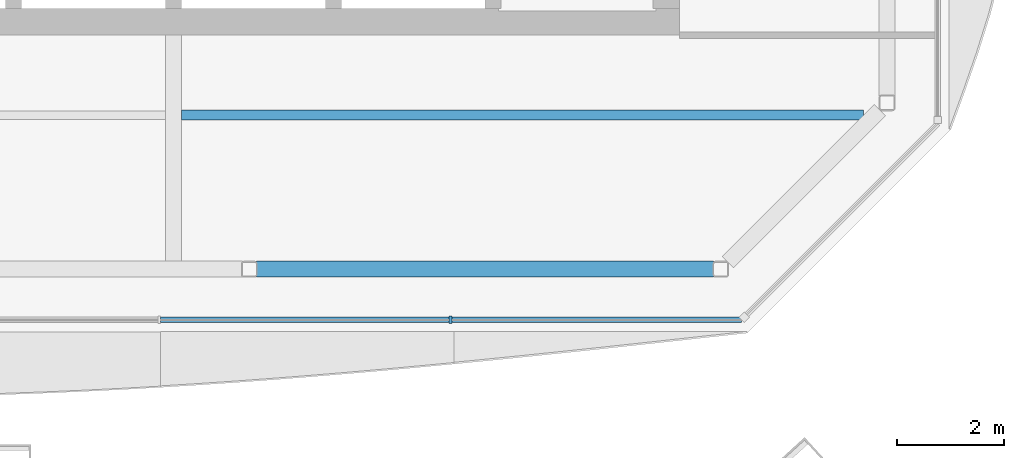
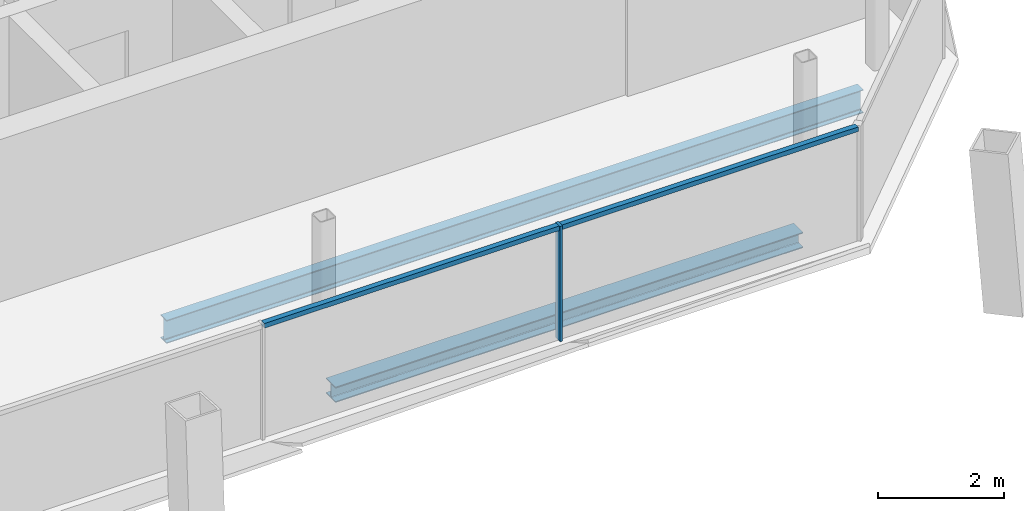
# One storey, part 4 of 16: 3 members, 2 beams, 1 element without a shape of its own.
"""IFC4 building model written with IfcOpenShell, lengths in metres."""

from ifc_helpers import new_model, si_unit, direction, frame, origin, origin_2d, place, context, subcontext, project, spatial, rectangle, i_section, extrude, material, material_profile, profile_set, type_object, element, aggregate, save


model = new_model("IFC4")

# Units and contexts
model_context = context("Model", 3, precision=1e-05, world=origin(), true_north=direction((0.0, 1.0)))
body_context = subcontext(model_context, "Body", "Model", "MODEL_VIEW")
ifc_project = project(units=[si_unit("LENGTHUNIT", "METRE"), si_unit("AREAUNIT", "SQUARE_METRE"), si_unit("VOLUMEUNIT", "CUBIC_METRE"), si_unit("PLANEANGLEUNIT", "RADIAN"), si_unit("MASSUNIT", "GRAM", prefix="KILO")], contexts=[model_context])

# Site, building, storey
site_placement = place(None, origin())
site = spatial("IfcSite", under=ifc_project, at=site_placement, CompositionType="ELEMENT")
building_placement = place(site_placement, origin())
building = spatial("IfcBuilding", under=site, at=building_placement, Name="Tskaro Facet Tower", CompositionType="ELEMENT")
storey_placement = place(building_placement, frame((0.0, 0.0, 251.85009765625)))
storey = spatial("IfcBuildingStorey", under=building, at=storey_placement, Name="L66", CompositionType="ELEMENT", Elevation=251.85009765625)

# Curtain wall, members
ifc_material_1 = material(Name="Bronze anodised aluminium 6063-T6", Category="aluminium")
curtain_wall_type = type_object("IfcCurtainWallType", Name="Bronze residence curtain wall (FW3)", PredefinedType="NOTDEFINED", material=ifc_material_1)
curtain_wall_placement = place(storey_placement, origin())
curtain_wall = element("IfcCurtainWall", 1, at=curtain_wall_placement, inside=storey, type_object=curtain_wall_type, Name="FW3 south facet L66", PredefinedType="NOTDEFINED")
ifc_material_profile_1 = material_profile(ifc_material_1, rectangle(XDim=0.050048828125, YDim=0.139892578125, at=origin_2d()), Name="Mullion 50x140")
ifc_profile_set_1 = profile_set([ifc_material_profile_1], Name="Bronze anodised aluminium 6063-T6")
member_type_1 = type_object("IfcMemberType", Name="FW3 bronze mullion 50x140", PredefinedType="MULLION", material=ifc_profile_set_1)
member_1_placement = place(storey_placement, frame((5.196533203125, -17.341064453125, 0.0), z_axis=(0.0, 0.0, 1.0), x_axis=(1.0, 0.0, 0.0)))
member_1 = element("IfcMember", 2, at=member_1_placement, type_object=member_type_1, Name="FW3 south mullion 4", PredefinedType="MULLION", context=body_context, shape_type="SweptSolid", body=[
    extrude(rectangle(XDim=0.050048828125, YDim=0.139892578125, at=origin_2d()), origin(), (0.0, 0.0, 1.0), 2.239990234375),
])
ifc_material_profile_2 = material_profile(ifc_material_1, rectangle(XDim=0.10009765625, YDim=0.090087890625, at=origin_2d()), Name="Transom 100x90")
ifc_profile_set_2 = profile_set([ifc_material_profile_2], Name="Bronze anodised aluminium 6063-T6")
member_type_2 = type_object("IfcMemberType", Name="FW3 bronze transom 100x90", PredefinedType="USERDEFINED", material=ifc_profile_set_2)
member_2_placement = place(storey_placement, frame((-0.242919921875, -17.341064453125, 2.19482421875), z_axis=(1.0, 0.0, 0.0), x_axis=(0.0, 1.0, 0.0)))
member_2 = element("IfcMember", 3, at=member_2_placement, type_object=member_type_2, Name="FW3 south transom 4.1", ObjectType="TRANSOM", PredefinedType="USERDEFINED", context=body_context, shape_type="SweptSolid", body=[
    extrude(rectangle(XDim=0.10009765625, YDim=0.090087890625, at=origin_2d()), origin(), (0.0, 0.0, 1.0), 5.41455078125),
])
member_3_placement = place(storey_placement, frame((5.2216796875, -17.341064453125, 2.19482421875), z_axis=(1.0, 0.0, 0.0), x_axis=(0.0, 1.0, 0.0)))
member_3 = element("IfcMember", 4, at=member_3_placement, type_object=member_type_2, Name="FW3 south transom 5.1", ObjectType="TRANSOM", PredefinedType="USERDEFINED", context=body_context, shape_type="SweptSolid", body=[
    extrude(rectangle(XDim=0.10009765625, YDim=0.090087890625, at=origin_2d()), origin(), (0.0, 0.0, 1.0), 5.439208984375),
])
aggregate(curtain_wall, [member_1, member_2, member_3])

# Beams
ifc_material_2 = material(Name="Steel S355J2", Category="steel")
ifc_material_profile_3 = material_profile(ifc_material_2, i_section(OverallWidth=0.300048828125, OverallDepth=0.300048828125, WebThickness=0.010986328125, FlangeThickness=0.01904296875, FilletRadius=0.027099609375, at=origin_2d()), Name="HE 300 B")
ifc_profile_set_3 = profile_set([ifc_material_profile_3], Name="Steel S355J2")
beam_type_1 = type_object("IfcBeamType", Name="HE 300 B ring beam", PredefinedType="BEAM", material=ifc_profile_set_3)
beam_1_placement = place(storey_placement, frame((1.552978515625, -16.39111328125, -0.2900390625), z_axis=(1.0, 0.0, 0.0), x_axis=(0.0, 1.0, 0.0)))
element("IfcBeam", 5, at=beam_1_placement, inside=storey, type_object=beam_type_1, Name="HE 300 B EB3-5", PredefinedType="BEAM", context=body_context, shape_type="SweptSolid", body=[
    extrude(i_section(OverallWidth=0.300048828125, OverallDepth=0.300048828125, WebThickness=0.010986328125, FlangeThickness=0.01904296875, FilletRadius=0.027099609375, at=origin_2d()), origin(), (0.0, 0.0, 1.0), 8.5849609375),
])
ifc_material_profile_4 = material_profile(ifc_material_2, i_section(OverallWidth=0.18994140625, OverallDepth=0.449951171875, WebThickness=0.009521484375, FlangeThickness=0.0146484375, FilletRadius=0.02099609375, at=origin_2d()), Name="IPE 450")
ifc_profile_set_4 = profile_set([ifc_material_profile_4], Name="Steel S355J2")
beam_type_2 = type_object("IfcBeamType", Name="IPE 450 long secondary beam", PredefinedType="BEAM", material=ifc_profile_set_4)
beam_2_placement = place(storey_placement, frame((0.14990234375, -13.5, -0.364990234375), z_axis=(1.0, 0.0, 0.0), x_axis=(0.0, 1.0, 0.0)))
element("IfcBeam", 6, at=beam_2_placement, inside=storey, type_object=beam_type_2, Name="IPE 450 LSB2a-3-5", PredefinedType="BEAM", context=body_context, shape_type="SweptSolid", body=[
    extrude(i_section(OverallWidth=0.18994140625, OverallDepth=0.449951171875, WebThickness=0.009521484375, FlangeThickness=0.0146484375, FilletRadius=0.02099609375, at=origin_2d()), origin(), (0.0, 0.0, 1.0), 12.797119140625),
])

save(model, "model.ifc")
